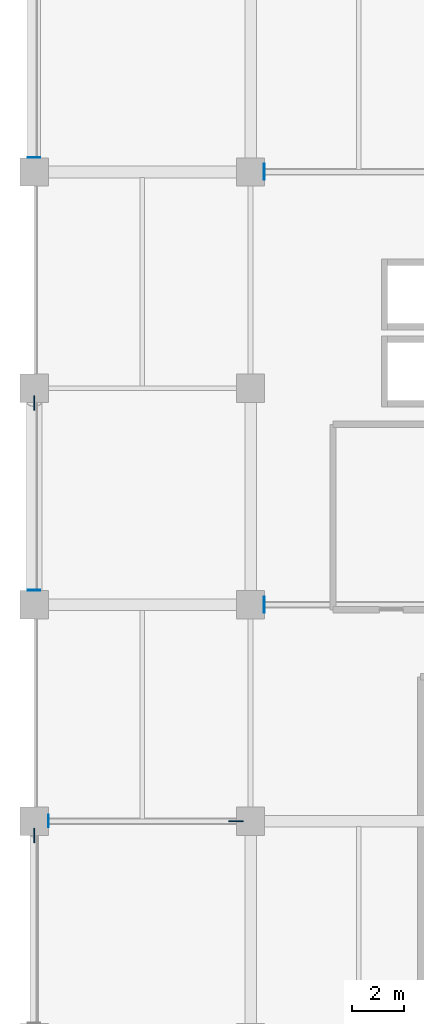
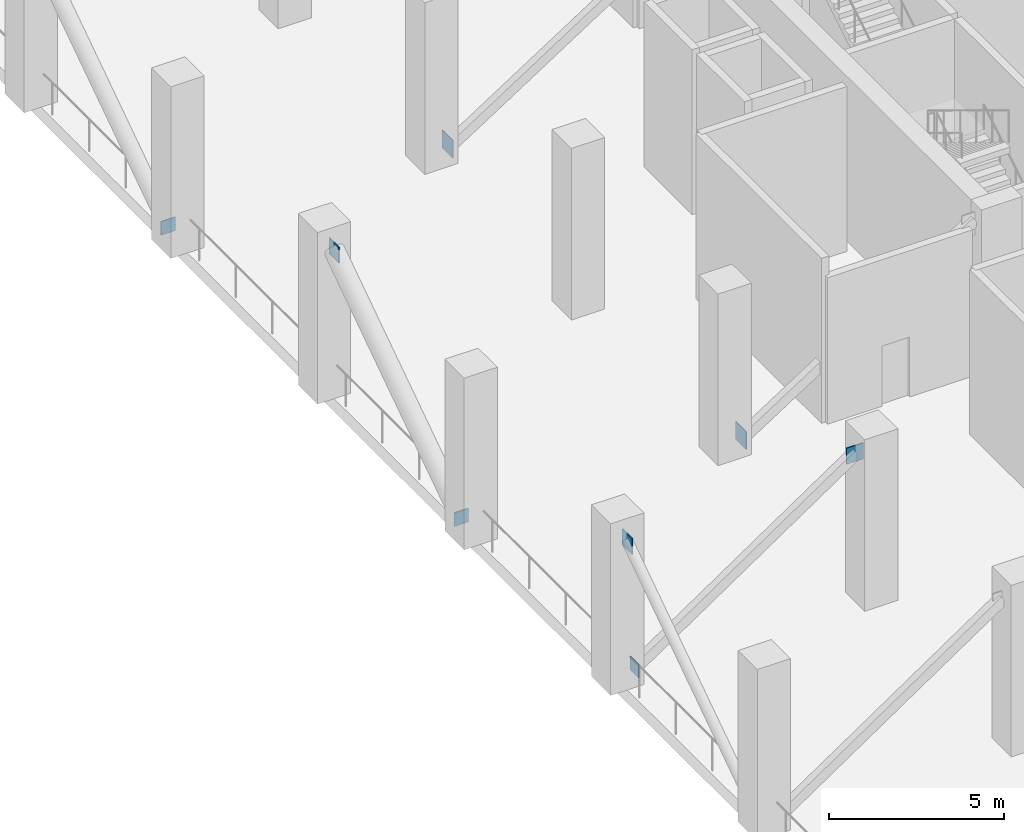
# One storey, part 7 of 18: 8 plates.
"""IFC4 building model written with IfcOpenShell, lengths in metres."""

from ifc_helpers import new_model, si_unit, direction, frame, origin, origin_2d, place, context, subcontext, project, spatial, rectangle, extrude, material, layer, layer_set, type_object, element, save


model = new_model("IFC4")

# Units and contexts
model_context = context("Model", 3, precision=1e-05, world=origin(), true_north=direction((0.0, 1.0)))
body_context = subcontext(model_context, "Body", "Model", "MODEL_VIEW")
ifc_project = project(units=[si_unit("LENGTHUNIT", "METRE"), si_unit("AREAUNIT", "SQUARE_METRE"), si_unit("VOLUMEUNIT", "CUBIC_METRE"), si_unit("PLANEANGLEUNIT", "RADIAN"), si_unit("MASSUNIT", "GRAM", prefix="KILO")], contexts=[model_context])

# Site, building, storey
site_placement = place(None, origin())
site = spatial("IfcSite", under=ifc_project, at=site_placement, CompositionType="ELEMENT")
building_placement = place(site_placement, origin())
building = spatial("IfcBuilding", under=site, at=building_placement, Name="Koriwani Terraces Tower", CompositionType="ELEMENT")
storey_placement = place(building_placement, frame((0.0, 0.0, 228.199951171875)))
storey = spatial("IfcBuildingStorey", under=building, at=storey_placement, Name="L56", CompositionType="ELEMENT", Elevation=228.199951171875)

# Plates
ifc_material = material(Name="Steel ASTM A572 Grade 50", Category="steel")
ifc_layer_1 = layer(ifc_material, 0.02490234375, Name="Steel ASTM A572 Grade 50")
ifc_layer_set_1 = layer_set([ifc_layer_1], Name="Steel ASTM A572 Grade 50")
plate_type_1 = type_object("IfcPlateType", Name="STEEL_CAP_PLATE_25", PredefinedType="USERDEFINED", material=ifc_layer_set_1)
for number, where, z_axis, x_axis, name in (
    (1, (8.929931640625, 42.0, 0.0400390625), (0.0, 0.0, 1.0), (1.0, 0.0, 0.0), "Outrigger truss hollow end cap plate L56-OW-W1"),
    (2, (8.929931640625, 58.800048828125, 0.0400390625), (0.0, 0.0, 1.0), (1.0, 0.0, 0.0), "Outrigger truss hollow end cap plate L56-OW-W2"),
):
    element("IfcPlate", number, at=place(storey_placement, frame(where, z_axis=z_axis, x_axis=x_axis)), inside=storey, type_object=plate_type_1, Name=name, ObjectType="FLANGE_PLATE", PredefinedType="USERDEFINED", context=body_context, shape_type="SweptSolid", body=[
        extrude(rectangle(XDim=0.02490234375, YDim=0.6201171875, at=origin_2d()), origin(), (0.0, 0.0, 1.0), 0.6201171875),
    ])
for number, where, z_axis, x_axis, name in (
    (3, (0.0, 42.56298828125, 0.032470703125), (0.0, 0.0, 1.0), (0.0, 1.0, 0.0), "Brace End Cap Plate BT-L56-BW3"),
    (4, (0.0, 59.363037109375, 0.032470703125), (0.0, 0.0, 1.0), (0.0, 1.0, 0.0), "Brace End Cap Plate BT-L56-BW4"),
    (5, (0.56298828125, 33.60009765625, 0.032470703125), (0.0, 0.0, 1.0), (1.0, 0.0, 0.0), "Brace End Cap Plate TT56-Y336"),
):
    element("IfcPlate", number, at=place(storey_placement, frame(where, z_axis=z_axis, x_axis=x_axis)), inside=storey, type_object=plate_type_1, Name=name, ObjectType="FLANGE_PLATE", PredefinedType="USERDEFINED", context=body_context, shape_type="SweptSolid", body=[
        extrude(rectangle(XDim=0.02490234375, YDim=0.47998046875, at=origin_2d()), origin(), (0.0, 0.0, 1.0), 0.47998046875),
    ])
ifc_layer_2 = layer(ifc_material, 0.0400390625, Name="Steel ASTM A572 Grade 50")
ifc_layer_set_2 = layer_set([ifc_layer_2], Name="Steel ASTM A572 Grade 50")
plate_type_2 = type_object("IfcPlateType", Name="STEEL_GUSSET_PLATE_40", PredefinedType="USERDEFINED", material=ifc_layer_set_2)
for number, where, z_axis, x_axis, name in (
    (6, (0.0, 33.036865234375, 4.917724609375), (0.0, 0.0, 1.0), (0.0, 1.0, 0.0), "Brace Node Gusset Plate BT-L56-BW2"),
    (7, (0.0, 49.8369140625, 4.917724609375), (0.0, 0.0, 1.0), (0.0, 1.0, 0.0), "Brace Node Gusset Plate BT-L56-BW3"),
    (8, (7.8369140625, 33.60009765625, 4.917724609375), (0.0, 0.0, 1.0), (1.0, 0.0, 0.0), "Brace Node Gusset Plate TT56-Y336"),
):
    element("IfcPlate", number, at=place(storey_placement, frame(where, z_axis=z_axis, x_axis=x_axis)), inside=storey, type_object=plate_type_2, Name=name, ObjectType="GUSSET_PLATE", PredefinedType="USERDEFINED", context=body_context, shape_type="SweptSolid", body=[
        extrude(rectangle(XDim=0.56005859375, YDim=0.0400390625, at=origin_2d()), origin(), (0.0, 0.0, 1.0), 0.56005859375),
    ])

save(model, "model.ifc")
